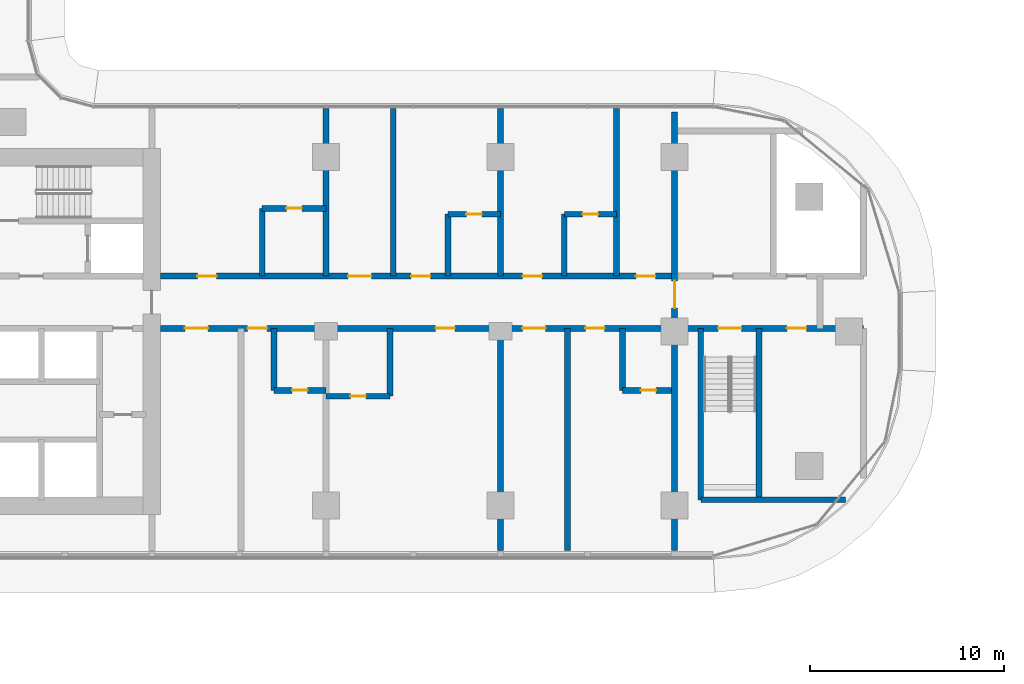
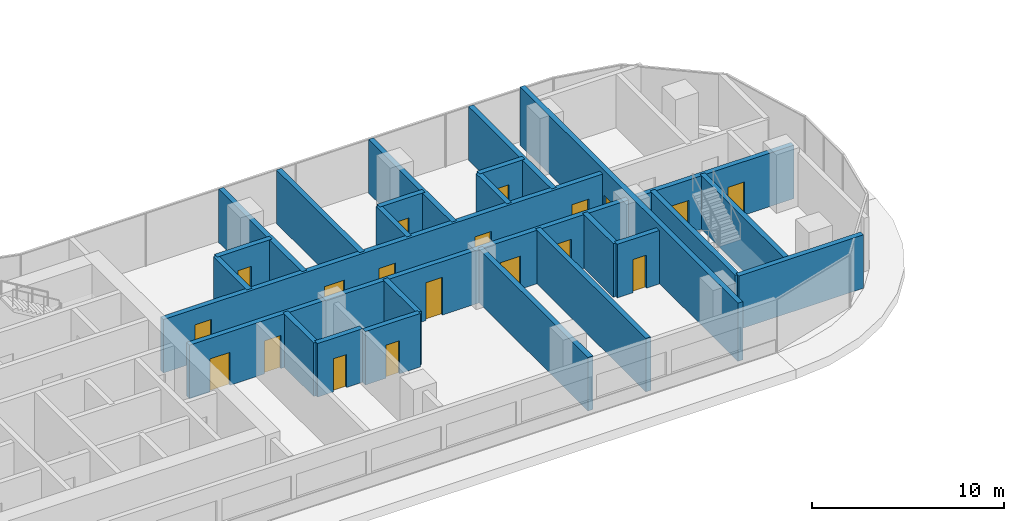
# One storey, part 19 of 36: 25 walls, 19 doors, 19 openings.
"""IFC4 building model written with IfcOpenShell, lengths in metres."""

from ifc_helpers import new_model, si_unit, direction, frame, frame_2d, origin, place, context, subcontext, project, spatial, rectangle, extrude, material, layer, layer_set, type_object, element, fill, save


model = new_model("IFC4")

# Units and contexts
model_context = context("Model", 3, precision=1e-05, world=origin(), true_north=direction((0.0, 1.0)))
body_context = subcontext(model_context, "Body", "Model", "MODEL_VIEW")
ifc_project = project(units=[si_unit("LENGTHUNIT", "METRE"), si_unit("AREAUNIT", "SQUARE_METRE"), si_unit("VOLUMEUNIT", "CUBIC_METRE"), si_unit("PLANEANGLEUNIT", "RADIAN"), si_unit("MASSUNIT", "GRAM", prefix="KILO")], contexts=[model_context])

# Site, building, storey
site_placement = place(None, origin())
site = spatial("IfcSite", under=ifc_project, at=site_placement, CompositionType="ELEMENT")
building_placement = place(site_placement, origin())
building = spatial("IfcBuilding", under=site, at=building_placement, Name="Ogive Portal Towers", CompositionType="ELEMENT")
storey_placement = place(building_placement, frame((0.0, 0.0, 63.10009765625)))
storey = spatial("IfcBuildingStorey", under=building, at=storey_placement, Name="L14", CompositionType="ELEMENT", Elevation=63.10009765625)

# Wall, opening, door
ifc_material_1 = material(Name="Concrete C60/75", Category="concrete")
ifc_layer_1 = layer(ifc_material_1, 0.300048828125)
ifc_layer_set_1 = layer_set([ifc_layer_1], Name="REVEAL WALL 300 C60")
wall_type_1 = type_object("IfcWallType", Name="REVEAL WALL 300 C60", PredefinedType="SHEAR", material=ifc_layer_set_1)
wall_1_placement = place(storey_placement, frame((85.5, 19.169921875, 0.0), z_axis=(0.0, 0.0, 1.0), x_axis=(0.0, 1.0, 0.0)))
wall_1 = element("IfcWall", 1, at=wall_1_placement, inside=storey, type_object=wall_type_1, Name="Portal reveal wall L14", PredefinedType="SHEAR", context=body_context, shape_type="SweptSolid", body=[
    extrude(rectangle(XDim=22.66015625, YDim=0.300048828125, at=frame_2d((11.330078125, 0.0))), origin(), (0.0, 0.0, 1.0), 3.699951171875),
])
opening_1_placement = place(wall_1_placement, frame((12.530029296875, 0.0, 0.0)))
opening_1 = element("IfcOpeningElement", 2, at=opening_1_placement, cuts=wall_1, Name="Opening D04-065", PredefinedType="OPENING", context=body_context, shape_type="SweptSolid", body=[
    extrude(rectangle(XDim=1.39990234375, YDim=2.10009765625, at=frame_2d((0.699951171875, 1.050048828125))), frame((0.0, 0.16015625, 0.0), z_axis=(0.0, -1.0, 0.0), x_axis=(1.0, 0.0, 0.0)), (0.0, 0.0, 1.0), 0.320068359375),
])
ifc_material_2 = material(Name="Steel fire door", Category="steel")
door_type_1 = type_object("IfcDoorType", Name="DT-STAIR-1400x2100-FD90S", OperationType="SINGLE_SWING_LEFT", PredefinedType="DOOR", material=ifc_material_2)
door_1_placement = place(opening_1_placement, origin())
door_1 = element("IfcDoor", 3, at=door_1_placement, inside=storey, type_object=door_type_1, Name="Door D04-065", OperationType="SINGLE_SWING_RIGHT", OverallHeight=2.10009765625, OverallWidth=1.39990234375, PredefinedType="DOOR", context=body_context, shape_type="SweptSolid", body=[
    extrude(rectangle(XDim=1.39990234375, YDim=2.10009765625, at=frame_2d((0.699951171875, 1.050048828125))), frame((0.0, 0.02490234375, 0.0), z_axis=(0.0, -1.0, 0.0), x_axis=(1.0, 0.0, 0.0)), (0.0, 0.0, 1.0), 0.050048828125),
])
fill(opening_1, door_1)

# Wall
ifc_material_3 = material(Name="Concrete C50/60", Category="concrete")
ifc_layer_2 = layer(ifc_material_3, 0.300048828125)
ifc_layer_set_2 = layer_set([ifc_layer_2], Name="STAIR WALL 300 C50")
wall_type_2 = type_object("IfcWallType", Name="STAIR WALL 300 C50", PredefinedType="SHEAR", material=ifc_layer_set_2)
wall_2_placement = place(storey_placement, frame((86.85009765625, 21.800048828125, 0.0), z_axis=(0.0, 0.0, 1.0), x_axis=(1.0, 0.0, 0.0)))
element("IfcWall", 4, at=wall_2_placement, inside=storey, type_object=wall_type_2, Name="Stair wall ST-A4 L14", PredefinedType="SHEAR", context=body_context, shape_type="SweptSolid", body=[
    extrude(rectangle(XDim=7.473876953125, YDim=0.300048828125, at=frame_2d((3.73681640625, 0.0))), origin(), (0.0, 0.0, 1.0), 3.39990234375),
])

# Wall, openings, doors
wall_3_placement = place(storey_placement, frame((85.669921875, 30.64990234375, 0.0), z_axis=(0.0, 0.0, 1.0), x_axis=(1.0, 0.0, 0.0)))
wall_3 = element("IfcWall", 5, at=wall_3_placement, inside=storey, type_object=wall_type_2, Name="Stair wall ST-A4 L14", PredefinedType="SHEAR", context=body_context, shape_type="SweptSolid", body=[
    extrude(rectangle(XDim=9.580078125, YDim=0.300048828125, at=frame_2d((4.7900390625, 0.0))), origin(), (0.0, 0.0, 1.0), 3.39990234375),
])
opening_2_placement = place(wall_3_placement, frame((2.080078125, 0.0, 0.0)))
opening_2 = element("IfcOpeningElement", 6, at=opening_2_placement, cuts=wall_3, Name="Opening D04-060", PredefinedType="OPENING", context=body_context, shape_type="SweptSolid", body=[
    extrude(rectangle(XDim=1.199951171875, YDim=2.10009765625, at=frame_2d((0.60009765625, 1.050048828125))), frame((0.0, 0.16015625, 0.0), z_axis=(0.0, -1.0, 0.0), x_axis=(1.0, 0.0, 0.0)), (0.0, 0.0, 1.0), 0.320068359375),
])
opening_3_placement = place(wall_3_placement, frame((5.6298828125, 0.0, 0.0)))
opening_3 = element("IfcOpeningElement", 7, at=opening_3_placement, cuts=wall_3, Name="Opening D04-063", PredefinedType="OPENING", context=body_context, shape_type="SweptSolid", body=[
    extrude(rectangle(XDim=1.0, YDim=2.10009765625, at=frame_2d((0.5, 1.050048828125))), frame((0.0, 0.16015625, 0.0), z_axis=(0.0, -1.0, 0.0), x_axis=(1.0, 0.0, 0.0)), (0.0, 0.0, 1.0), 0.320068359375),
])
door_type_2 = type_object("IfcDoorType", Name="DT-SERVICE-1000x2100-FD90S", OperationType="SINGLE_SWING_LEFT", PredefinedType="DOOR", material=ifc_material_2)
door_2_placement = place(opening_3_placement, origin())
door_2 = element("IfcDoor", 8, at=door_2_placement, inside=storey, type_object=door_type_2, Name="Door D04-063", OperationType="SINGLE_SWING_LEFT", OverallHeight=2.10009765625, OverallWidth=1.0, PredefinedType="DOOR", context=body_context, shape_type="SweptSolid", body=[
    extrude(rectangle(XDim=1.0, YDim=2.10009765625, at=frame_2d((0.5, 1.050048828125))), frame((0.0, 0.02490234375, 0.0), z_axis=(0.0, -1.0, 0.0), x_axis=(1.0, 0.0, 0.0)), (0.0, 0.0, 1.0), 0.050048828125),
])
fill(opening_3, door_2)
door_type_3 = type_object("IfcDoorType", Name="DT-STAIR-1200x2100-FD90S", OperationType="SINGLE_SWING_LEFT", PredefinedType="DOOR", material=ifc_material_2)
door_3_placement = place(opening_2_placement, origin())
door_3 = element("IfcDoor", 9, at=door_3_placement, inside=storey, type_object=door_type_3, Name="Door D04-060", OperationType="SINGLE_SWING_LEFT", OverallHeight=2.10009765625, OverallWidth=1.199951171875, PredefinedType="DOOR", context=body_context, shape_type="SweptSolid", body=[
    extrude(rectangle(XDim=1.199951171875, YDim=2.10009765625, at=frame_2d((0.60009765625, 1.050048828125))), frame((0.0, 0.02490234375, 0.0), z_axis=(0.0, -1.0, 0.0), x_axis=(1.0, 0.0, 0.0)), (0.0, 0.0, 1.0), 0.050048828125),
])
fill(opening_2, door_3)

# Walls
for number, where, z_axis, x_axis, name in (
    (10, (86.85009765625, 21.800048828125, 0.0), (0.0, 0.0, 1.0), (0.0, 1.0, 0.0), "Stair wall ST-A4 L14"),
    (11, (89.85009765625, 21.800048828125, 0.0), (0.0, 0.0, 1.0), (0.0, 1.0, 0.0), "Stair wall ST-A4 L14"),
):
    element("IfcWall", number, at=place(storey_placement, frame(where, z_axis=z_axis, x_axis=x_axis)), inside=storey, type_object=wall_type_2, Name=name, PredefinedType="SHEAR", context=body_context, shape_type="SweptSolid", body=[
        extrude(rectangle(XDim=8.849853515625, YDim=0.300048828125, at=frame_2d((4.4248046875, 0.0))), origin(), (0.0, 0.0, 1.0), 3.39990234375),
    ])

# Wall, openings, doors
ifc_material_4 = material(Name="Gypsum board partition on steel studs", Category="steel")
ifc_layer_3 = layer(ifc_material_4, 0.300048828125)
ifc_layer_set_3 = layer_set([ifc_layer_3], Name="WT-PART-300-EI 120")
wall_type_3 = type_object("IfcWallType", Name="WT-PART-300-EI 120", PredefinedType="PARTITIONING", material=ifc_layer_set_3)
wall_4_placement = place(storey_placement, frame((58.949951171875, 30.64990234375, 0.0), z_axis=(0.0, 0.0, 1.0), x_axis=(1.0, 0.0, 0.0)))
wall_4 = element("IfcWall", 12, at=wall_4_placement, inside=storey, type_object=wall_type_3, Name="Wall L14:w005", PredefinedType="PARTITIONING", context=body_context, shape_type="SweptSolid", body=[
    extrude(rectangle(XDim=26.380126953125, YDim=0.300048828125, at=frame_2d((13.18994140625, 0.0))), origin(), (0.0, 0.0, 1.0), 3.39990234375),
])
opening_4_placement = place(wall_4_placement, frame((1.25, 0.0, 0.0)))
opening_4 = element("IfcOpeningElement", 13, at=opening_4_placement, cuts=wall_4, Name="Opening D04-028", PredefinedType="OPENING", context=body_context, shape_type="SweptSolid", body=[
    extrude(rectangle(XDim=1.199951171875, YDim=2.10009765625, at=frame_2d((0.60009765625, 1.050048828125))), frame((0.0, 0.16015625, 0.0), z_axis=(0.0, -1.0, 0.0), x_axis=(1.0, 0.0, 0.0)), (0.0, 0.0, 1.0), 0.320068359375),
])
opening_5_placement = place(wall_4_placement, frame((4.5, 0.0, 0.0)))
opening_5 = element("IfcOpeningElement", 14, at=opening_5_placement, cuts=wall_4, Name="Opening D04-030", PredefinedType="OPENING", context=body_context, shape_type="SweptSolid", body=[
    extrude(rectangle(XDim=1.0, YDim=2.10009765625, at=frame_2d((0.5, 1.050048828125))), frame((0.0, 0.16015625, 0.0), z_axis=(0.0, -1.0, 0.0), x_axis=(1.0, 0.0, 0.0)), (0.0, 0.0, 1.0), 0.320068359375),
])
opening_6_placement = place(wall_4_placement, frame((14.199951171875, 0.0, 0.0)))
opening_6 = element("IfcOpeningElement", 15, at=opening_6_placement, cuts=wall_4, Name="Opening D04-035", PredefinedType="OPENING", context=body_context, shape_type="SweptSolid", body=[
    extrude(rectangle(XDim=1.0, YDim=2.39990234375, at=frame_2d((0.5, 1.199951171875))), frame((0.0, 0.16015625, 0.0), z_axis=(0.0, -1.0, 0.0), x_axis=(1.0, 0.0, 0.0)), (0.0, 0.0, 1.0), 0.320068359375),
])
opening_7_placement = place(wall_4_placement, frame((18.68505859375, 0.0, 0.0)))
opening_7 = element("IfcOpeningElement", 16, at=opening_7_placement, cuts=wall_4, Name="Opening D04-039", PredefinedType="OPENING", context=body_context, shape_type="SweptSolid", body=[
    extrude(rectangle(XDim=1.199951171875, YDim=2.10009765625, at=frame_2d((0.60009765625, 1.050048828125))), frame((0.0, 0.16015625, 0.0), z_axis=(0.0, -1.0, 0.0), x_axis=(1.0, 0.0, 0.0)), (0.0, 0.0, 1.0), 0.320068359375),
])
opening_8_placement = place(wall_4_placement, frame((21.93505859375, 0.0, 0.0)))
opening_8 = element("IfcOpeningElement", 17, at=opening_8_placement, cuts=wall_4, Name="Opening D04-041", PredefinedType="OPENING", context=body_context, shape_type="SweptSolid", body=[
    extrude(rectangle(XDim=1.0, YDim=2.10009765625, at=frame_2d((0.5, 1.050048828125))), frame((0.0, 0.16015625, 0.0), z_axis=(0.0, -1.0, 0.0), x_axis=(1.0, 0.0, 0.0)), (0.0, 0.0, 1.0), 0.320068359375),
])
door_type_4 = type_object("IfcDoorType", Name="DT-ENTRY-1000x2100-FD90S", OperationType="SINGLE_SWING_LEFT", PredefinedType="DOOR", material=ifc_material_2)
door_4_placement = place(opening_5_placement, origin())
door_4 = element("IfcDoor", 18, at=door_4_placement, inside=storey, type_object=door_type_4, Name="Door D04-030", OperationType="SINGLE_SWING_LEFT", OverallHeight=2.10009765625, OverallWidth=1.0, PredefinedType="DOOR", context=body_context, shape_type="SweptSolid", body=[
    extrude(rectangle(XDim=1.0, YDim=2.10009765625, at=frame_2d((0.5, 1.050048828125))), frame((0.0, 0.02490234375, 0.0), z_axis=(0.0, -1.0, 0.0), x_axis=(1.0, 0.0, 0.0)), (0.0, 0.0, 1.0), 0.050048828125),
])
fill(opening_5, door_4)
door_5_placement = place(opening_8_placement, origin())
door_5 = element("IfcDoor", 19, at=door_5_placement, inside=storey, type_object=door_type_4, Name="Door D04-041", OperationType="SINGLE_SWING_RIGHT", OverallHeight=2.10009765625, OverallWidth=1.0, PredefinedType="DOOR", context=body_context, shape_type="SweptSolid", body=[
    extrude(rectangle(XDim=1.0, YDim=2.10009765625, at=frame_2d((0.5, 1.050048828125))), frame((0.0, 0.02490234375, 0.0), z_axis=(0.0, -1.0, 0.0), x_axis=(1.0, 0.0, 0.0)), (0.0, 0.0, 1.0), 0.050048828125),
])
fill(opening_8, door_5)
door_type_5 = type_object("IfcDoorType", Name="DT-ENTRY-1000x2400-FD90S", OperationType="SINGLE_SWING_LEFT", PredefinedType="DOOR", material=ifc_material_2)
door_6_placement = place(opening_6_placement, origin())
door_6 = element("IfcDoor", 20, at=door_6_placement, inside=storey, type_object=door_type_5, Name="Door D04-035", OperationType="SINGLE_SWING_RIGHT", OverallHeight=2.39990234375, OverallWidth=1.0, PredefinedType="DOOR", context=body_context, shape_type="SweptSolid", body=[
    extrude(rectangle(XDim=1.0, YDim=2.39990234375, at=frame_2d((0.5, 1.199951171875))), frame((0.0, 0.02490234375, 0.0), z_axis=(0.0, -1.0, 0.0), x_axis=(1.0, 0.0, 0.0)), (0.0, 0.0, 1.0), 0.050048828125),
])
fill(opening_6, door_6)
door_type_6 = type_object("IfcDoorType", Name="DT-ENTRY-1200x2100-FD90S", OperationType="SINGLE_SWING_LEFT", PredefinedType="DOOR", material=ifc_material_2)
door_7_placement = place(opening_4_placement, origin())
door_7 = element("IfcDoor", 21, at=door_7_placement, inside=storey, type_object=door_type_6, Name="Door D04-028", OperationType="SINGLE_SWING_RIGHT", OverallHeight=2.10009765625, OverallWidth=1.199951171875, PredefinedType="DOOR", context=body_context, shape_type="SweptSolid", body=[
    extrude(rectangle(XDim=1.199951171875, YDim=2.10009765625, at=frame_2d((0.60009765625, 1.050048828125))), frame((0.0, 0.02490234375, 0.0), z_axis=(0.0, -1.0, 0.0), x_axis=(1.0, 0.0, 0.0)), (0.0, 0.0, 1.0), 0.050048828125),
])
fill(opening_4, door_7)
door_8_placement = place(opening_7_placement, origin())
door_8 = element("IfcDoor", 22, at=door_8_placement, inside=storey, type_object=door_type_6, Name="Door D04-039", OperationType="SINGLE_SWING_LEFT", OverallHeight=2.10009765625, OverallWidth=1.199951171875, PredefinedType="DOOR", context=body_context, shape_type="SweptSolid", body=[
    extrude(rectangle(XDim=1.199951171875, YDim=2.10009765625, at=frame_2d((0.60009765625, 1.050048828125))), frame((0.0, 0.02490234375, 0.0), z_axis=(0.0, -1.0, 0.0), x_axis=(1.0, 0.0, 0.0)), (0.0, 0.0, 1.0), 0.050048828125),
])
fill(opening_7, door_8)

wall_5_placement = place(storey_placement, frame((58.949951171875, 33.35009765625, 0.0), z_axis=(0.0, 0.0, 1.0), x_axis=(1.0, 0.0, 0.0)))
wall_5 = element("IfcWall", 23, at=wall_5_placement, inside=storey, type_object=wall_type_3, Name="Wall L14:w007", PredefinedType="PARTITIONING", context=body_context, shape_type="SweptSolid", body=[
    extrude(rectangle(XDim=26.380126953125, YDim=0.300048828125, at=frame_2d((13.18994140625, 0.0))), origin(), (0.0, 0.0, 1.0), 3.39990234375),
])
opening_9_placement = place(wall_5_placement, frame((1.89990234375, 0.0, 0.0)))
opening_9 = element("IfcOpeningElement", 24, at=opening_9_placement, cuts=wall_5, Name="Opening D04-027", PredefinedType="OPENING", context=body_context, shape_type="SweptSolid", body=[
    extrude(rectangle(XDim=1.0, YDim=2.39990234375, at=frame_2d((0.5, 1.199951171875))), frame((0.0, 0.16015625, 0.0), z_axis=(0.0, -1.0, 0.0), x_axis=(1.0, 0.0, 0.0)), (0.0, 0.0, 1.0), 0.320068359375),
])
opening_10_placement = place(wall_5_placement, frame((9.68505859375, 0.0, 0.0)))
opening_10 = element("IfcOpeningElement", 25, at=opening_10_placement, cuts=wall_5, Name="Opening D04-031", PredefinedType="OPENING", context=body_context, shape_type="SweptSolid", body=[
    extrude(rectangle(XDim=1.199951171875, YDim=2.10009765625, at=frame_2d((0.60009765625, 1.050048828125))), frame((0.0, 0.16015625, 0.0), z_axis=(0.0, -1.0, 0.0), x_axis=(1.0, 0.0, 0.0)), (0.0, 0.0, 1.0), 0.320068359375),
])
opening_11_placement = place(wall_5_placement, frame((12.93505859375, 0.0, 0.0)))
opening_11 = element("IfcOpeningElement", 26, at=opening_11_placement, cuts=wall_5, Name="Opening D04-033", PredefinedType="OPENING", context=body_context, shape_type="SweptSolid", body=[
    extrude(rectangle(XDim=1.0, YDim=2.10009765625, at=frame_2d((0.5, 1.050048828125))), frame((0.0, 0.16015625, 0.0), z_axis=(0.0, -1.0, 0.0), x_axis=(1.0, 0.0, 0.0)), (0.0, 0.0, 1.0), 0.320068359375),
])
opening_12_placement = place(wall_5_placement, frame((18.699951171875, 0.0, 0.0)))
opening_12 = element("IfcOpeningElement", 27, at=opening_12_placement, cuts=wall_5, Name="Opening D04-037", PredefinedType="OPENING", context=body_context, shape_type="SweptSolid", body=[
    extrude(rectangle(XDim=1.0, YDim=2.10009765625, at=frame_2d((0.5, 1.050048828125))), frame((0.0, 0.16015625, 0.0), z_axis=(0.0, -1.0, 0.0), x_axis=(1.0, 0.0, 0.0)), (0.0, 0.0, 1.0), 0.320068359375),
])
opening_13_placement = place(wall_5_placement, frame((24.550048828125, 0.0, 0.0)))
opening_13 = element("IfcOpeningElement", 28, at=opening_13_placement, cuts=wall_5, Name="Opening D04-038", PredefinedType="OPENING", context=body_context, shape_type="SweptSolid", body=[
    extrude(rectangle(XDim=1.0, YDim=2.10009765625, at=frame_2d((0.5, 1.050048828125))), frame((0.0, 0.16015625, 0.0), z_axis=(0.0, -1.0, 0.0), x_axis=(1.0, 0.0, 0.0)), (0.0, 0.0, 1.0), 0.320068359375),
])
door_9_placement = place(opening_11_placement, origin())
door_9 = element("IfcDoor", 29, at=door_9_placement, inside=storey, type_object=door_type_4, Name="Door D04-033", OperationType="SINGLE_SWING_LEFT", OverallHeight=2.10009765625, OverallWidth=1.0, PredefinedType="DOOR", context=body_context, shape_type="SweptSolid", body=[
    extrude(rectangle(XDim=1.0, YDim=2.10009765625, at=frame_2d((0.5, 1.050048828125))), frame((0.0, 0.02490234375, 0.0), z_axis=(0.0, -1.0, 0.0), x_axis=(1.0, 0.0, 0.0)), (0.0, 0.0, 1.0), 0.050048828125),
])
fill(opening_11, door_9)
door_10_placement = place(opening_12_placement, origin())
door_10 = element("IfcDoor", 30, at=door_10_placement, inside=storey, type_object=door_type_4, Name="Door D04-037", OperationType="SINGLE_SWING_LEFT", OverallHeight=2.10009765625, OverallWidth=1.0, PredefinedType="DOOR", context=body_context, shape_type="SweptSolid", body=[
    extrude(rectangle(XDim=1.0, YDim=2.10009765625, at=frame_2d((0.5, 1.050048828125))), frame((0.0, 0.02490234375, 0.0), z_axis=(0.0, -1.0, 0.0), x_axis=(1.0, 0.0, 0.0)), (0.0, 0.0, 1.0), 0.050048828125),
])
fill(opening_12, door_10)
door_11_placement = place(opening_13_placement, origin())
door_11 = element("IfcDoor", 31, at=door_11_placement, inside=storey, type_object=door_type_4, Name="Door D04-038", OperationType="SINGLE_SWING_LEFT", OverallHeight=2.10009765625, OverallWidth=1.0, PredefinedType="DOOR", context=body_context, shape_type="SweptSolid", body=[
    extrude(rectangle(XDim=1.0, YDim=2.10009765625, at=frame_2d((0.5, 1.050048828125))), frame((0.0, 0.02490234375, 0.0), z_axis=(0.0, -1.0, 0.0), x_axis=(1.0, 0.0, 0.0)), (0.0, 0.0, 1.0), 0.050048828125),
])
fill(opening_13, door_11)
door_12_placement = place(opening_9_placement, origin())
door_12 = element("IfcDoor", 32, at=door_12_placement, inside=storey, type_object=door_type_5, Name="Door D04-027", OperationType="SINGLE_SWING_LEFT", OverallHeight=2.39990234375, OverallWidth=1.0, PredefinedType="DOOR", context=body_context, shape_type="SweptSolid", body=[
    extrude(rectangle(XDim=1.0, YDim=2.39990234375, at=frame_2d((0.5, 1.199951171875))), frame((0.0, 0.02490234375, 0.0), z_axis=(0.0, -1.0, 0.0), x_axis=(1.0, 0.0, 0.0)), (0.0, 0.0, 1.0), 0.050048828125),
])
fill(opening_9, door_12)
door_13_placement = place(opening_10_placement, origin())
door_13 = element("IfcDoor", 33, at=door_13_placement, inside=storey, type_object=door_type_6, Name="Door D04-031", OperationType="SINGLE_SWING_RIGHT", OverallHeight=2.10009765625, OverallWidth=1.199951171875, PredefinedType="DOOR", context=body_context, shape_type="SweptSolid", body=[
    extrude(rectangle(XDim=1.199951171875, YDim=2.10009765625, at=frame_2d((0.60009765625, 1.050048828125))), frame((0.0, 0.02490234375, 0.0), z_axis=(0.0, -1.0, 0.0), x_axis=(1.0, 0.0, 0.0)), (0.0, 0.0, 1.0), 0.050048828125),
])
fill(opening_10, door_13)

# Wall, opening, door
ifc_layer_4 = layer(ifc_material_4, 0.300048828125)
ifc_layer_set_4 = layer_set([ifc_layer_4], Name="WT-PART-300-EI 60")
wall_type_4 = type_object("IfcWallType", Name="WT-PART-300-EI 60", PredefinedType="PARTITIONING", material=ifc_layer_set_4)
wall_6_placement = place(storey_placement, frame((67.5, 27.14990234375, 0.0), z_axis=(0.0, 0.0, 1.0), x_axis=(1.0, 0.0, 0.0)))
wall_6 = element("IfcWall", 34, at=wall_6_placement, inside=storey, type_object=wall_type_4, Name="Wall L14:w002", PredefinedType="PARTITIONING", context=body_context, shape_type="SweptSolid", body=[
    extrude(rectangle(XDim=3.300048828125, YDim=0.300048828125, at=frame_2d((1.64990234375, 0.0))), origin(), (0.0, 0.0, 1.0), 3.39990234375),
])
opening_14_placement = place(wall_6_placement, frame((1.25, 0.0, 0.0)))
opening_14 = element("IfcOpeningElement", 35, at=opening_14_placement, cuts=wall_6, Name="Opening D04-034", PredefinedType="OPENING", context=body_context, shape_type="SweptSolid", body=[
    extrude(rectangle(XDim=0.800048828125, YDim=2.10009765625, at=frame_2d((0.39990234375, 1.050048828125))), frame((0.0, 0.16015625, 0.0), z_axis=(0.0, -1.0, 0.0), x_axis=(1.0, 0.0, 0.0)), (0.0, 0.0, 1.0), 0.320068359375),
])
door_type_7 = type_object("IfcDoorType", Name="DT-BATH-800x2100-FD60S", OperationType="SINGLE_SWING_LEFT", PredefinedType="DOOR", material=ifc_material_2)
door_14_placement = place(opening_14_placement, origin())
door_14 = element("IfcDoor", 36, at=door_14_placement, inside=storey, type_object=door_type_7, Name="Door D04-034", OperationType="SINGLE_SWING_LEFT", OverallHeight=2.10009765625, OverallWidth=0.800048828125, PredefinedType="DOOR", context=body_context, shape_type="SweptSolid", body=[
    extrude(rectangle(XDim=0.800048828125, YDim=2.10009765625, at=frame_2d((0.39990234375, 1.050048828125))), frame((0.0, 0.02490234375, 0.0), z_axis=(0.0, -1.0, 0.0), x_axis=(1.0, 0.0, 0.0)), (0.0, 0.0, 1.0), 0.050048828125),
])
fill(opening_14, door_14)

wall_7_placement = place(storey_placement, frame((64.800048828125, 27.449951171875, 0.0), z_axis=(0.0, 0.0, 1.0), x_axis=(1.0, 0.0, 0.0)))
wall_7 = element("IfcWall", 37, at=wall_7_placement, inside=storey, type_object=wall_type_4, Name="Wall L14:w003", PredefinedType="PARTITIONING", context=body_context, shape_type="SweptSolid", body=[
    extrude(rectangle(XDim=2.699951171875, YDim=0.300048828125, at=frame_2d((1.35009765625, 0.0))), origin(), (0.0, 0.0, 1.0), 3.39990234375),
])
opening_15_placement = place(wall_7_placement, frame((0.949951171875, 0.0, 0.0)))
opening_15 = element("IfcOpeningElement", 38, at=opening_15_placement, cuts=wall_7, Name="Opening D04-029", PredefinedType="OPENING", context=body_context, shape_type="SweptSolid", body=[
    extrude(rectangle(XDim=0.800048828125, YDim=2.10009765625, at=frame_2d((0.39990234375, 1.050048828125))), frame((0.0, 0.16015625, 0.0), z_axis=(0.0, -1.0, 0.0), x_axis=(1.0, 0.0, 0.0)), (0.0, 0.0, 1.0), 0.320068359375),
])
door_15_placement = place(opening_15_placement, origin())
door_15 = element("IfcDoor", 39, at=door_15_placement, inside=storey, type_object=door_type_7, Name="Door D04-029", OperationType="SINGLE_SWING_LEFT", OverallHeight=2.10009765625, OverallWidth=0.800048828125, PredefinedType="DOOR", context=body_context, shape_type="SweptSolid", body=[
    extrude(rectangle(XDim=0.800048828125, YDim=2.10009765625, at=frame_2d((0.39990234375, 1.050048828125))), frame((0.0, 0.02490234375, 0.0), z_axis=(0.0, -1.0, 0.0), x_axis=(1.0, 0.0, 0.0)), (0.0, 0.0, 1.0), 0.050048828125),
])
fill(opening_15, door_15)

wall_8_placement = place(storey_placement, frame((82.800048828125, 27.449951171875, 0.0), z_axis=(0.0, 0.0, 1.0), x_axis=(1.0, 0.0, 0.0)))
wall_8 = element("IfcWall", 40, at=wall_8_placement, inside=storey, type_object=wall_type_4, Name="Wall L14:w004", PredefinedType="PARTITIONING", context=body_context, shape_type="SweptSolid", body=[
    extrude(rectangle(XDim=2.530029296875, YDim=0.300048828125, at=frame_2d((1.26513671875, 0.0))), origin(), (0.0, 0.0, 1.0), 3.39990234375),
])
opening_16_placement = place(wall_8_placement, frame((0.949951171875, 0.0, 0.0)))
opening_16 = element("IfcOpeningElement", 41, at=opening_16_placement, cuts=wall_8, Name="Opening D04-040", PredefinedType="OPENING", context=body_context, shape_type="SweptSolid", body=[
    extrude(rectangle(XDim=0.800048828125, YDim=2.10009765625, at=frame_2d((0.39990234375, 1.050048828125))), frame((0.0, 0.16015625, 0.0), z_axis=(0.0, -1.0, 0.0), x_axis=(1.0, 0.0, 0.0)), (0.0, 0.0, 1.0), 0.320068359375),
])
door_16_placement = place(opening_16_placement, origin())
door_16 = element("IfcDoor", 42, at=door_16_placement, inside=storey, type_object=door_type_7, Name="Door D04-040", OperationType="SINGLE_SWING_LEFT", OverallHeight=2.10009765625, OverallWidth=0.800048828125, PredefinedType="DOOR", context=body_context, shape_type="SweptSolid", body=[
    extrude(rectangle(XDim=0.800048828125, YDim=2.10009765625, at=frame_2d((0.39990234375, 1.050048828125))), frame((0.0, 0.02490234375, 0.0), z_axis=(0.0, -1.0, 0.0), x_axis=(1.0, 0.0, 0.0)), (0.0, 0.0, 1.0), 0.050048828125),
])
fill(opening_16, door_16)

wall_9_placement = place(storey_placement, frame((73.800048828125, 36.550048828125, 0.0), z_axis=(0.0, 0.0, 1.0), x_axis=(1.0, 0.0, 0.0)))
wall_9 = element("IfcWall", 43, at=wall_9_placement, inside=storey, type_object=wall_type_4, Name="Wall L14:w009", PredefinedType="PARTITIONING", context=body_context, shape_type="SweptSolid", body=[
    extrude(rectangle(XDim=2.699951171875, YDim=0.300048828125, at=frame_2d((1.35009765625, 0.0))), origin(), (0.0, 0.0, 1.0), 3.39990234375),
])
opening_17_placement = place(wall_9_placement, frame((0.949951171875, 0.0, 0.0)))
opening_17 = element("IfcOpeningElement", 44, at=opening_17_placement, cuts=wall_9, Name="Opening D04-032", PredefinedType="OPENING", context=body_context, shape_type="SweptSolid", body=[
    extrude(rectangle(XDim=0.800048828125, YDim=2.10009765625, at=frame_2d((0.39990234375, 1.050048828125))), frame((0.0, 0.16015625, 0.0), z_axis=(0.0, -1.0, 0.0), x_axis=(1.0, 0.0, 0.0)), (0.0, 0.0, 1.0), 0.320068359375),
])
door_17_placement = place(opening_17_placement, origin())
door_17 = element("IfcDoor", 45, at=door_17_placement, inside=storey, type_object=door_type_7, Name="Door D04-032", OperationType="SINGLE_SWING_LEFT", OverallHeight=2.10009765625, OverallWidth=0.800048828125, PredefinedType="DOOR", context=body_context, shape_type="SweptSolid", body=[
    extrude(rectangle(XDim=0.800048828125, YDim=2.10009765625, at=frame_2d((0.39990234375, 1.050048828125))), frame((0.0, 0.02490234375, 0.0), z_axis=(0.0, -1.0, 0.0), x_axis=(1.0, 0.0, 0.0)), (0.0, 0.0, 1.0), 0.050048828125),
])
fill(opening_17, door_17)

wall_10_placement = place(storey_placement, frame((79.800048828125, 36.550048828125, 0.0), z_axis=(0.0, 0.0, 1.0), x_axis=(1.0, 0.0, 0.0)))
wall_10 = element("IfcWall", 46, at=wall_10_placement, inside=storey, type_object=wall_type_4, Name="Wall L14:w010", PredefinedType="PARTITIONING", context=body_context, shape_type="SweptSolid", body=[
    extrude(rectangle(XDim=2.699951171875, YDim=0.300048828125, at=frame_2d((1.35009765625, 0.0))), origin(), (0.0, 0.0, 1.0), 3.39990234375),
])
opening_18_placement = place(wall_10_placement, frame((0.949951171875, 0.0, 0.0)))
opening_18 = element("IfcOpeningElement", 47, at=opening_18_placement, cuts=wall_10, Name="Opening D04-036", PredefinedType="OPENING", context=body_context, shape_type="SweptSolid", body=[
    extrude(rectangle(XDim=0.800048828125, YDim=2.10009765625, at=frame_2d((0.39990234375, 1.050048828125))), frame((0.0, 0.16015625, 0.0), z_axis=(0.0, -1.0, 0.0), x_axis=(1.0, 0.0, 0.0)), (0.0, 0.0, 1.0), 0.320068359375),
])
door_18_placement = place(opening_18_placement, origin())
door_18 = element("IfcDoor", 48, at=door_18_placement, inside=storey, type_object=door_type_7, Name="Door D04-036", OperationType="SINGLE_SWING_RIGHT", OverallHeight=2.10009765625, OverallWidth=0.800048828125, PredefinedType="DOOR", context=body_context, shape_type="SweptSolid", body=[
    extrude(rectangle(XDim=0.800048828125, YDim=2.10009765625, at=frame_2d((0.39990234375, 1.050048828125))), frame((0.0, 0.02490234375, 0.0), z_axis=(0.0, -1.0, 0.0), x_axis=(1.0, 0.0, 0.0)), (0.0, 0.0, 1.0), 0.050048828125),
])
fill(opening_18, door_18)

wall_11_placement = place(storey_placement, frame((64.199951171875, 36.85009765625, 0.0), z_axis=(0.0, 0.0, 1.0), x_axis=(1.0, 0.0, 0.0)))
wall_11 = element("IfcWall", 49, at=wall_11_placement, inside=storey, type_object=wall_type_4, Name="Wall L14:w011", PredefinedType="PARTITIONING", context=body_context, shape_type="SweptSolid", body=[
    extrude(rectangle(XDim=3.300048828125, YDim=0.300048828125, at=frame_2d((1.64990234375, 0.0))), origin(), (0.0, 0.0, 1.0), 3.39990234375),
])
opening_19_placement = place(wall_11_placement, frame((1.25, 0.0, 0.0)))
opening_19 = element("IfcOpeningElement", 50, at=opening_19_placement, cuts=wall_11, Name="Opening D04-026", PredefinedType="OPENING", context=body_context, shape_type="SweptSolid", body=[
    extrude(rectangle(XDim=0.800048828125, YDim=2.10009765625, at=frame_2d((0.39990234375, 1.050048828125))), frame((0.0, 0.16015625, 0.0), z_axis=(0.0, -1.0, 0.0), x_axis=(1.0, 0.0, 0.0)), (0.0, 0.0, 1.0), 0.320068359375),
])
door_19_placement = place(opening_19_placement, origin())
door_19 = element("IfcDoor", 51, at=door_19_placement, inside=storey, type_object=door_type_7, Name="Door D04-026", OperationType="SINGLE_SWING_LEFT", OverallHeight=2.10009765625, OverallWidth=0.800048828125, PredefinedType="DOOR", context=body_context, shape_type="SweptSolid", body=[
    extrude(rectangle(XDim=0.800048828125, YDim=2.10009765625, at=frame_2d((0.39990234375, 1.050048828125))), frame((0.0, 0.02490234375, 0.0), z_axis=(0.0, -1.0, 0.0), x_axis=(1.0, 0.0, 0.0)), (0.0, 0.0, 1.0), 0.050048828125),
])
fill(opening_19, door_19)

# Walls
wall_12_placement = place(storey_placement, frame((64.199951171875, 33.35009765625, 0.0), z_axis=(0.0, 0.0, 1.0), x_axis=(0.0, 1.0, 0.0)))
element("IfcWall", 52, at=wall_12_placement, inside=storey, type_object=wall_type_4, Name="Wall L14:w049", PredefinedType="PARTITIONING", context=body_context, shape_type="SweptSolid", body=[
    extrude(rectangle(XDim=3.5, YDim=0.300048828125, at=frame_2d((1.75, 0.0))), origin(), (0.0, 0.0, 1.0), 3.39990234375),
])
wall_13_placement = place(storey_placement, frame((64.800048828125, 27.449951171875, 0.0), z_axis=(0.0, 0.0, 1.0), x_axis=(0.0, 1.0, 0.0)))
element("IfcWall", 53, at=wall_13_placement, inside=storey, type_object=wall_type_4, Name="Wall L14:w050", PredefinedType="PARTITIONING", context=body_context, shape_type="SweptSolid", body=[
    extrude(rectangle(XDim=3.199951171875, YDim=0.300048828125, at=frame_2d((1.60009765625, 0.0))), origin(), (0.0, 0.0, 1.0), 3.39990234375),
])
wall_14_placement = place(storey_placement, frame((67.5, 33.35009765625, 0.0), z_axis=(0.0, 0.0, 1.0), x_axis=(0.0, 1.0, 0.0)))
element("IfcWall", 54, at=wall_14_placement, inside=storey, type_object=wall_type_4, Name="Wall L14:w052", PredefinedType="PARTITIONING", context=body_context, shape_type="SweptSolid", body=[
    extrude(rectangle(XDim=8.659912109375, YDim=0.300048828125, at=frame_2d((4.330078125, 0.0))), origin(), (0.0, 0.0, 1.0), 3.39990234375),
])
wall_15_placement = place(storey_placement, frame((70.800048828125, 27.14990234375, 0.0), z_axis=(0.0, 0.0, 1.0), x_axis=(0.0, 1.0, 0.0)))
element("IfcWall", 55, at=wall_15_placement, inside=storey, type_object=wall_type_4, Name="Wall L14:w053", PredefinedType="PARTITIONING", context=body_context, shape_type="SweptSolid", body=[
    extrude(rectangle(XDim=3.5, YDim=0.300048828125, at=frame_2d((1.75, 0.0))), origin(), (0.0, 0.0, 1.0), 3.39990234375),
])
wall_16_placement = place(storey_placement, frame((70.969970703125, 33.35009765625, 0.0), z_axis=(0.0, 0.0, 1.0), x_axis=(0.0, 1.0, 0.0)))
element("IfcWall", 56, at=wall_16_placement, inside=storey, type_object=wall_type_4, Name="Wall L14:w054", PredefinedType="PARTITIONING", context=body_context, shape_type="SweptSolid", body=[
    extrude(rectangle(XDim=8.659912109375, YDim=0.300048828125, at=frame_2d((4.330078125, 0.0))), origin(), (0.0, 0.0, 1.0), 3.39990234375),
])
wall_17_placement = place(storey_placement, frame((73.800048828125, 33.35009765625, 0.0), z_axis=(0.0, 0.0, 1.0), x_axis=(0.0, 1.0, 0.0)))
element("IfcWall", 57, at=wall_17_placement, inside=storey, type_object=wall_type_4, Name="Wall L14:w055", PredefinedType="PARTITIONING", context=body_context, shape_type="SweptSolid", body=[
    extrude(rectangle(XDim=3.199951171875, YDim=0.300048828125, at=frame_2d((1.60009765625, 0.0))), origin(), (0.0, 0.0, 1.0), 3.39990234375),
])
wall_18_placement = place(storey_placement, frame((76.5, 19.169921875, 0.0), z_axis=(0.0, 0.0, 1.0), x_axis=(0.0, 1.0, 0.0)))
element("IfcWall", 58, at=wall_18_placement, inside=storey, type_object=wall_type_4, Name="Wall L14:w056", PredefinedType="PARTITIONING", context=body_context, shape_type="SweptSolid", body=[
    extrude(rectangle(XDim=11.47998046875, YDim=0.300048828125, at=frame_2d((5.739990234375, 0.0))), origin(), (0.0, 0.0, 1.0), 3.39990234375),
])
wall_19_placement = place(storey_placement, frame((76.5, 33.35009765625, 0.0), z_axis=(0.0, 0.0, 1.0), x_axis=(0.0, 1.0, 0.0)))
element("IfcWall", 59, at=wall_19_placement, inside=storey, type_object=wall_type_4, Name="Wall L14:w057", PredefinedType="PARTITIONING", context=body_context, shape_type="SweptSolid", body=[
    extrude(rectangle(XDim=8.659912109375, YDim=0.300048828125, at=frame_2d((4.330078125, 0.0))), origin(), (0.0, 0.0, 1.0), 3.39990234375),
])
wall_20_placement = place(storey_placement, frame((79.800048828125, 33.35009765625, 0.0), z_axis=(0.0, 0.0, 1.0), x_axis=(0.0, 1.0, 0.0)))
element("IfcWall", 60, at=wall_20_placement, inside=storey, type_object=wall_type_4, Name="Wall L14:w058", PredefinedType="PARTITIONING", context=body_context, shape_type="SweptSolid", body=[
    extrude(rectangle(XDim=3.199951171875, YDim=0.300048828125, at=frame_2d((1.60009765625, 0.0))), origin(), (0.0, 0.0, 1.0), 3.39990234375),
])
wall_21_placement = place(storey_placement, frame((79.969970703125, 19.169921875, 0.0), z_axis=(0.0, 0.0, 1.0), x_axis=(0.0, 1.0, 0.0)))
element("IfcWall", 61, at=wall_21_placement, inside=storey, type_object=wall_type_4, Name="Wall L14:w059", PredefinedType="PARTITIONING", context=body_context, shape_type="SweptSolid", body=[
    extrude(rectangle(XDim=11.47998046875, YDim=0.300048828125, at=frame_2d((5.739990234375, 0.0))), origin(), (0.0, 0.0, 1.0), 3.39990234375),
])
wall_22_placement = place(storey_placement, frame((82.5, 33.35009765625, 0.0), z_axis=(0.0, 0.0, 1.0), x_axis=(0.0, 1.0, 0.0)))
element("IfcWall", 62, at=wall_22_placement, inside=storey, type_object=wall_type_4, Name="Wall L14:w060", PredefinedType="PARTITIONING", context=body_context, shape_type="SweptSolid", body=[
    extrude(rectangle(XDim=8.659912109375, YDim=0.300048828125, at=frame_2d((4.330078125, 0.0))), origin(), (0.0, 0.0, 1.0), 3.39990234375),
])
wall_23_placement = place(storey_placement, frame((82.800048828125, 27.449951171875, 0.0), z_axis=(0.0, 0.0, 1.0), x_axis=(0.0, 1.0, 0.0)))
element("IfcWall", 63, at=wall_23_placement, inside=storey, type_object=wall_type_4, Name="Wall L14:w061", PredefinedType="PARTITIONING", context=body_context, shape_type="SweptSolid", body=[
    extrude(rectangle(XDim=3.199951171875, YDim=0.300048828125, at=frame_2d((1.60009765625, 0.0))), origin(), (0.0, 0.0, 1.0), 3.39990234375),
])

save(model, "model.ifc")
